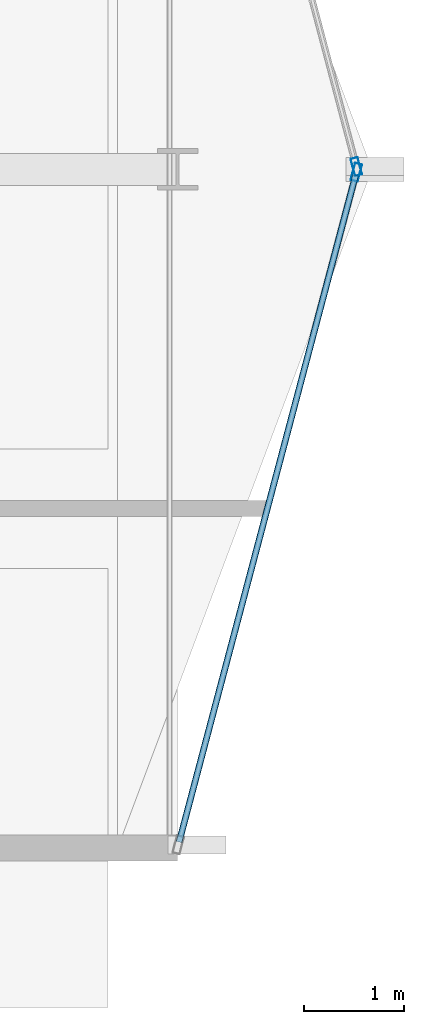
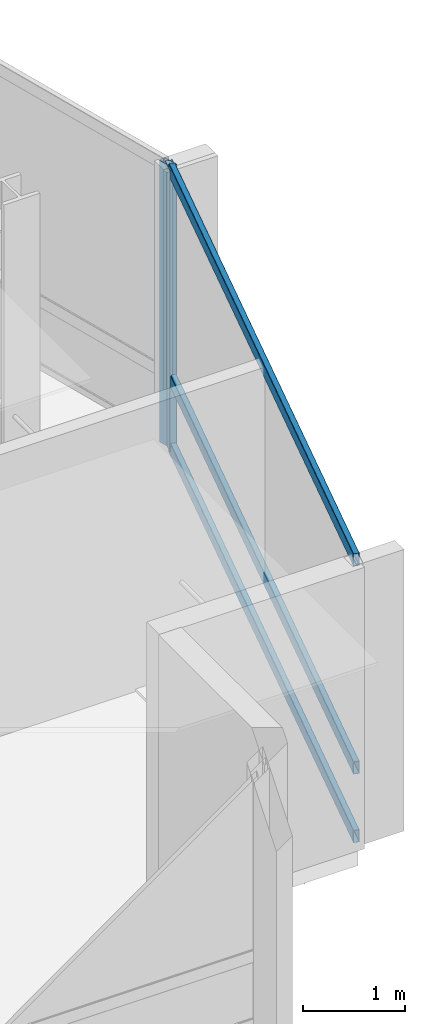
# One storey, part 11 of 27: 5 members, 2 elements without a shape of their own.
"""IFC4 building model written with IfcOpenShell, lengths in metres."""

from ifc_helpers import new_model, si_unit, direction, frame, origin, origin_2d, place, context, subcontext, project, spatial, hollow_rectangle, extrude, material, layer, layer_set, material_profile, profile_set, type_object, element, aggregate, save


model = new_model("IFC4")

# Units and contexts
model_context = context("Model", 3, precision=1e-05, world=origin(), true_north=direction((0.0, 1.0)))
body_context = subcontext(model_context, "Body", "Model", "MODEL_VIEW")
ifc_project = project(units=[si_unit("LENGTHUNIT", "METRE"), si_unit("AREAUNIT", "SQUARE_METRE"), si_unit("VOLUMEUNIT", "CUBIC_METRE"), si_unit("PLANEANGLEUNIT", "RADIAN"), si_unit("MASSUNIT", "GRAM", prefix="KILO")], contexts=[model_context])

# Site, building, storey
site_placement = place(None, origin())
site = spatial("IfcSite", under=ifc_project, at=site_placement, CompositionType="ELEMENT")
building_placement = place(site_placement, origin())
building = spatial("IfcBuilding", under=site, at=building_placement, Name="Solvaryn Broadcast Tower", CompositionType="ELEMENT")
storey_placement = place(building_placement, frame((0.0, 0.0, 192.699951171875)))
storey = spatial("IfcBuildingStorey", under=building, at=storey_placement, Name="L48", CompositionType="ELEMENT", Elevation=192.699951171875)

# Curtain wall, member
ifc_material_1 = material(Name="Aluminium and Terracotta Unitised Curtain Wall", Category="masonry")
ifc_layer = layer(ifc_material_1, 0.199951171875)
ifc_layer_set = layer_set([ifc_layer], Name="CW-SYS2-LOWMID")
curtain_wall_type = type_object("IfcCurtainWallType", Name="CW-SYS2-LOWMID", PredefinedType="NOTDEFINED", material=ifc_layer_set)
curtain_wall_1_placement = place(storey_placement, origin())
curtain_wall_1 = element("IfcCurtainWall", 1, at=curtain_wall_1_placement, inside=storey, type_object=curtain_wall_type, Name="L48 Curtain Wall ET1", PredefinedType="NOTDEFINED")
ifc_material_2 = material(Name="Anodised Aluminium 6063-T6", Category="aluminium")
ifc_material_profile_1 = material_profile(ifc_material_2, hollow_rectangle(XDim=0.074951171875, YDim=0.179931640625, WallThickness=0.00390625, InnerFilletRadius=0.00390625, OuterFilletRadius=0.008056640625, at=origin_2d()))
ifc_profile_set_1 = profile_set([ifc_material_profile_1], Name="Anodised Aluminium 6063-T6")
member_type_1 = type_object("IfcMemberType", Name="CW-MUL-180", PredefinedType="MULLION", material=ifc_profile_set_1)
member_1_placement = place(storey_placement, frame((55.792236328125, 18.029052734375, 0.0), z_axis=(0.0, 0.0, 1.0), x_axis=(0.966705227863, 0.25589256031, 0.0)))
member_1 = element("IfcMember", 2, at=member_1_placement, type_object=member_type_1, Name="CWS2 mullion 2", PredefinedType="MULLION", context=body_context, shape_type="SweptSolid", body=[
    extrude(hollow_rectangle(XDim=0.074951171875, YDim=0.179931640625, WallThickness=0.00390625, InnerFilletRadius=0.00390625, OuterFilletRadius=0.008056640625, at=origin_2d()), origin(), (0.0, 0.0, 1.0), 3.3701171875),
])
aggregate(curtain_wall_1, [member_1])

# Curtain wall, members
curtain_wall_2_placement = place(storey_placement, origin())
curtain_wall_2 = element("IfcCurtainWall", 3, at=curtain_wall_2_placement, inside=storey, type_object=curtain_wall_type, Name="L48 Curtain Wall ET2", PredefinedType="NOTDEFINED")
member_2_placement = place(storey_placement, frame((55.792236328125, 17.970947265625, 0.0), z_axis=(0.0, 0.0, 1.0), x_axis=(0.966705227863, -0.25589256031, 0.0)))
member_2 = element("IfcMember", 4, at=member_2_placement, type_object=member_type_1, Name="CWS2 mullion 1", PredefinedType="MULLION", context=body_context, shape_type="SweptSolid", body=[
    extrude(hollow_rectangle(XDim=0.074951171875, YDim=0.179931640625, WallThickness=0.00390625, InnerFilletRadius=0.00390625, OuterFilletRadius=0.008056640625, at=origin_2d()), origin(), (0.0, 0.0, 1.0), 3.3701171875),
])
ifc_material_3 = material(Name="Anodised Aluminium 6063-T6", Category="aluminium")
ifc_material_profile_2 = material_profile(ifc_material_3, hollow_rectangle(XDim=0.06494140625, YDim=0.14990234375, WallThickness=0.00390625, InnerFilletRadius=0.00390625, OuterFilletRadius=0.008056640625, at=origin_2d()))
ifc_profile_set_2 = profile_set([ifc_material_profile_2], Name="Anodised Aluminium 6063-T6")
member_type_2 = type_object("IfcMemberType", Name="CW-TRN-150", PredefinedType="USERDEFINED", material=ifc_profile_set_2)
member_3_placement = place(storey_placement, frame((55.78466796875, 17.94189453125, 0.030029296875), z_axis=(-0.255897413051, -0.966703943301, 0.0), x_axis=(0.966703943301, -0.255897413051, 0.0)))
member_3 = element("IfcMember", 5, at=member_3_placement, type_object=member_type_2, Name="CWS2 transom 1.1", ObjectType="TRANSOM", PredefinedType="USERDEFINED", context=body_context, shape_type="SweptSolid", body=[
    extrude(hollow_rectangle(XDim=0.06494140625, YDim=0.14990234375, WallThickness=0.00390625, InnerFilletRadius=0.00390625, OuterFilletRadius=0.008056640625, at=origin_2d()), origin(), (0.0, 0.0, 1.0), 6.9140625),
])
member_4_placement = place(storey_placement, frame((55.78466796875, 17.94189453125, 0.85009765625), z_axis=(-0.255897413051, -0.966703943301, 0.0), x_axis=(0.966703943301, -0.255897413051, 0.0)))
member_4 = element("IfcMember", 6, at=member_4_placement, type_object=member_type_2, Name="CWS2 transom 1.2", ObjectType="TRANSOM", PredefinedType="USERDEFINED", context=body_context, shape_type="SweptSolid", body=[
    extrude(hollow_rectangle(XDim=0.06494140625, YDim=0.14990234375, WallThickness=0.00390625, InnerFilletRadius=0.00390625, OuterFilletRadius=0.008056640625, at=origin_2d()), origin(), (0.0, 0.0, 1.0), 6.9140625),
])
member_5_placement = place(storey_placement, frame((55.78466796875, 17.94189453125, 3.340087890625), z_axis=(-0.255897413051, -0.966703943301, 0.0), x_axis=(0.966703943301, -0.255897413051, 0.0)))
member_5 = element("IfcMember", 7, at=member_5_placement, type_object=member_type_2, Name="CWS2 transom 1.3", ObjectType="TRANSOM", PredefinedType="USERDEFINED", context=body_context, shape_type="SweptSolid", body=[
    extrude(hollow_rectangle(XDim=0.06494140625, YDim=0.14990234375, WallThickness=0.00390625, InnerFilletRadius=0.00390625, OuterFilletRadius=0.008056640625, at=origin_2d()), origin(), (0.0, 0.0, 1.0), 6.9140625),
])
aggregate(curtain_wall_2, [member_2, member_3, member_4, member_5])

save(model, "model.ifc")
